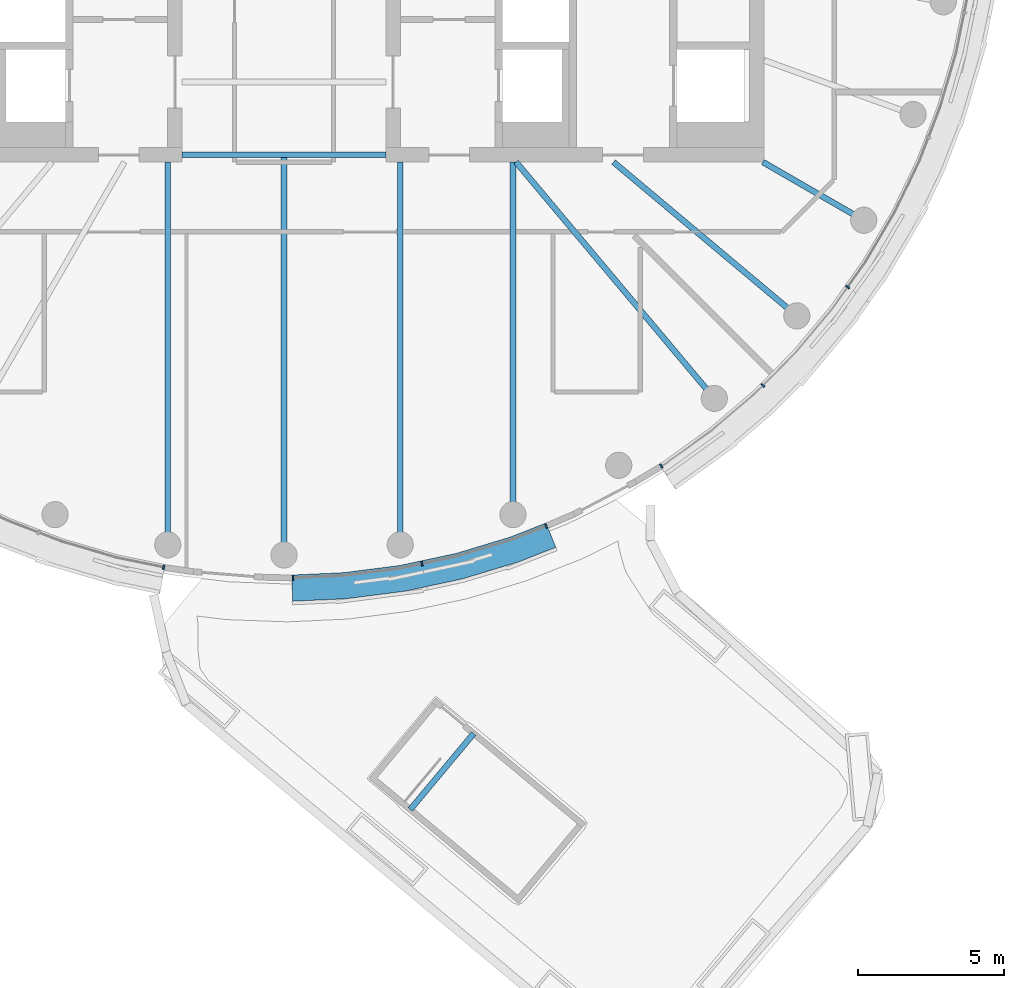
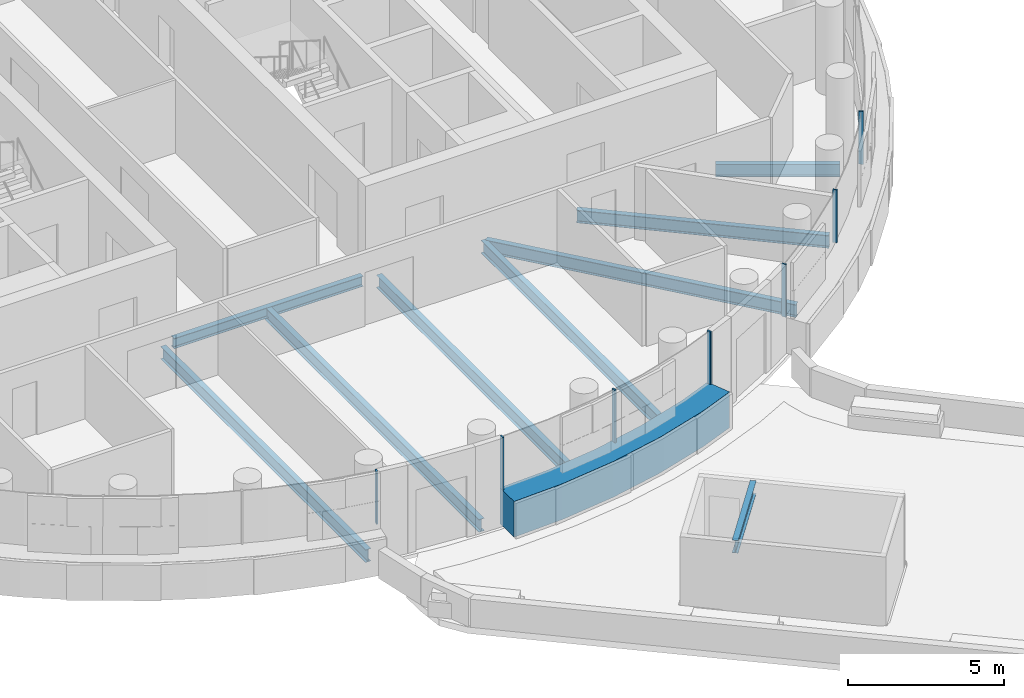
# One storey, part 4 of 25: 9 beams, 8 members, 1 element without a shape of its own.
"""IFC4 building model written with IfcOpenShell, lengths in metres."""

from ifc_helpers import new_model, si_unit, direction, frame, origin, origin_2d, place, context, subcontext, project, spatial, polyline, rectangle, i_section, outline, extrude, material, layer, layer_set, material_profile, profile_set, type_object, element, aggregate, save


model = new_model("IFC4")

# Units and contexts
model_context = context("Model", 3, precision=1e-05, world=origin(), true_north=direction((0.0, 1.0)))
body_context = subcontext(model_context, "Body", "Model", "MODEL_VIEW")
ifc_project = project(units=[si_unit("LENGTHUNIT", "METRE"), si_unit("AREAUNIT", "SQUARE_METRE"), si_unit("VOLUMEUNIT", "CUBIC_METRE"), si_unit("PLANEANGLEUNIT", "RADIAN"), si_unit("MASSUNIT", "GRAM", prefix="KILO")], contexts=[model_context])

# Site, building, storey
site_placement = place(None, origin())
site = spatial("IfcSite", under=ifc_project, at=site_placement, CompositionType="ELEMENT")
building_placement = place(site_placement, origin())
building = spatial("IfcBuilding", under=site, at=building_placement, Name="Tamarind Cross Interchange Tower", CompositionType="ELEMENT")
storey_placement = place(building_placement, frame((0.0, 0.0, 219.89990234375)))
storey = spatial("IfcBuildingStorey", under=building, at=storey_placement, Name="L55", CompositionType="ELEMENT", Elevation=219.89990234375)

# Beams
ifc_material_1 = material(Name="Steel Q355B", Category="steel")
ifc_material_profile_1 = material_profile(ifc_material_1, i_section(OverallWidth=0.199951171875, OverallDepth=0.39990234375, WebThickness=0.008056640625, FlangeThickness=0.012939453125, FilletRadius=0.01611328125, at=origin_2d()), Name="HN 400x200x8x13")
ifc_profile_set_1 = profile_set([ifc_material_profile_1], Name="Steel Q355B")
beam_type_1 = type_object("IfcBeamType", Name="Composite beam HN 400x200x8x13 Q355B", PredefinedType="BEAM", material=ifc_profile_set_1)
beam_1_placement = place(storey_placement, frame((-3.5, -9.25, -0.33984375), z_axis=(1.0, 0.0, 0.0), x_axis=(0.0, 1.0, 0.0)))
element("IfcBeam", 1, at=beam_1_placement, inside=storey, type_object=beam_type_1, Name="Beam G-9.25", PredefinedType="BEAM", context=body_context, shape_type="SweptSolid", body=[
    extrude(i_section(OverallWidth=0.199951171875, OverallDepth=0.39990234375, WebThickness=0.008056640625, FlangeThickness=0.012939453125, FilletRadius=0.01611328125, at=origin_2d()), origin(), (0.0, 0.0, 1.0), 7.0),
])
ifc_material_profile_2 = material_profile(ifc_material_1, i_section(OverallWidth=0.198974609375, OverallDepth=0.49609375, WebThickness=0.009033203125, FlangeThickness=0.013916015625, FilletRadius=0.012939453125, at=origin_2d()), Name="HN 496x199x9x14")
ifc_profile_set_2 = profile_set([ifc_material_profile_2], Name="Steel Q355B")
beam_type_2 = type_object("IfcBeamType", Name="Composite beam HN 496x199x9x14 Q355B", PredefinedType="BEAM", material=ifc_profile_set_2)
beam_2_placement = place(storey_placement, frame((-3.993896484375, -22.650634765625, -0.387939453125), z_axis=(0.0, 1.0, 0.0), x_axis=(-1.0, 0.0, 0.0)))
element("IfcBeam", 2, at=beam_2_placement, inside=storey, type_object=beam_type_2, Name="Beam HH26", PredefinedType="BEAM", context=body_context, shape_type="SweptSolid", body=[
    extrude(i_section(OverallWidth=0.198974609375, OverallDepth=0.49609375, WebThickness=0.009033203125, FlangeThickness=0.013916015625, FilletRadius=0.012939453125, at=origin_2d()), origin(), (0.0, 0.0, 1.0), 13.150634765625),
])
beam_3_placement = place(storey_placement, frame((0.0, -23.0, -0.387939453125), z_axis=(0.0, 1.0, 0.0), x_axis=(-1.0, 0.0, 0.0)))
element("IfcBeam", 3, at=beam_3_placement, inside=storey, type_object=beam_type_2, Name="Beam HH27", PredefinedType="BEAM", context=body_context, shape_type="SweptSolid", body=[
    extrude(i_section(OverallWidth=0.198974609375, OverallDepth=0.49609375, WebThickness=0.009033203125, FlangeThickness=0.013916015625, FilletRadius=0.012939453125, at=origin_2d()), origin(), (0.0, 0.0, 1.0), 13.75),
])
beam_4_placement = place(storey_placement, frame((3.993896484375, -22.650634765625, -0.387939453125), z_axis=(0.0, 1.0, 0.0), x_axis=(-1.0, 0.0, 0.0)))
element("IfcBeam", 4, at=beam_4_placement, inside=storey, type_object=beam_type_2, Name="Beam HH28", PredefinedType="BEAM", context=body_context, shape_type="SweptSolid", body=[
    extrude(i_section(OverallWidth=0.198974609375, OverallDepth=0.49609375, WebThickness=0.009033203125, FlangeThickness=0.013916015625, FilletRadius=0.012939453125, at=origin_2d()), origin(), (0.0, 0.0, 1.0), 13.150634765625),
])
beam_5_placement = place(storey_placement, frame((7.866455078125, -21.613037109375, -0.387939453125), z_axis=(0.0, 1.0, 0.0), x_axis=(-1.0, 0.0, 0.0)))
element("IfcBeam", 5, at=beam_5_placement, inside=storey, type_object=beam_type_2, Name="Beam HH29", PredefinedType="BEAM", context=body_context, shape_type="SweptSolid", body=[
    extrude(i_section(OverallWidth=0.198974609375, OverallDepth=0.49609375, WebThickness=0.009033203125, FlangeThickness=0.013916015625, FilletRadius=0.012939453125, at=origin_2d()), origin(), (0.0, 0.0, 1.0), 12.113037109375),
])
beam_6_placement = place(storey_placement, frame((14.7841796875, -17.619140625, -0.387939453125), z_axis=(-0.642786293979, 0.766045547127, 0.0), x_axis=(-0.766045547127, -0.642786293979, 0.0)))
element("IfcBeam", 6, at=beam_6_placement, inside=storey, type_object=beam_type_2, Name="Beam HH31", PredefinedType="BEAM", context=body_context, shape_type="SweptSolid", body=[
    extrude(i_section(OverallWidth=0.198974609375, OverallDepth=0.49609375, WebThickness=0.009033203125, FlangeThickness=0.013916015625, FilletRadius=0.012939453125, at=origin_2d()), origin(), (0.0, 0.0, 1.0), 10.598876953125),
])
beam_7_placement = place(storey_placement, frame((17.619140625, -14.7841796875, -0.387939453125), z_axis=(-0.766040580814, 0.642792212574, 0.0), x_axis=(-0.642792212574, -0.766040580814, 0.0)))
element("IfcBeam", 7, at=beam_7_placement, inside=storey, type_object=beam_type_2, Name="Beam HH32", PredefinedType="BEAM", context=body_context, shape_type="SweptSolid", body=[
    extrude(i_section(OverallWidth=0.198974609375, OverallDepth=0.49609375, WebThickness=0.009033203125, FlangeThickness=0.013916015625, FilletRadius=0.012939453125, at=origin_2d()), origin(), (0.0, 0.0, 1.0), 8.220703125),
])
beam_8_placement = place(storey_placement, frame((19.918701171875, -11.5, -0.387939453125), z_axis=(-0.866026010844, 0.49999894854, 0.0), x_axis=(-0.49999894854, -0.866026010844, 0.0)))
element("IfcBeam", 8, at=beam_8_placement, inside=storey, type_object=beam_type_2, Name="Beam HH33", PredefinedType="BEAM", context=body_context, shape_type="SweptSolid", body=[
    extrude(i_section(OverallWidth=0.198974609375, OverallDepth=0.49609375, WebThickness=0.009033203125, FlangeThickness=0.013916015625, FilletRadius=0.012939453125, at=origin_2d()), origin(), (0.0, 0.0, 1.0), 4.0),
])
beam_9_placement = place(storey_placement, frame((6.51806640625, -29.133544921875, 2.552001953125), z_axis=(-0.640812797877, -0.767697178631, 0.0), x_axis=(0.767697178631, -0.640812797877, 0.0)))
element("IfcBeam", 9, at=beam_9_placement, inside=storey, type_object=beam_type_2, Name="Beam head house ST6", PredefinedType="BEAM", context=body_context, shape_type="SweptSolid", body=[
    extrude(i_section(OverallWidth=0.198974609375, OverallDepth=0.49609375, WebThickness=0.009033203125, FlangeThickness=0.013916015625, FilletRadius=0.012939453125, at=origin_2d()), origin(), (0.0, 0.0, 1.0), 3.39990234375),
])

# Curtain wall, members
ifc_material_2 = material(Name="Aluminium 6063-T6", Category="aluminium")
ifc_layer = layer(ifc_material_2, 0.14990234375)
ifc_layer_set = layer_set([ifc_layer], Name="Aluminium 6063-T6")
curtain_wall_type = type_object("IfcCurtainWallType", Name="Winter garden and crown curtain wall", PredefinedType="NOTDEFINED", material=ifc_layer_set)
curtain_wall_placement = place(storey_placement, origin())
curtain_wall = element("IfcCurtainWall", 10, at=curtain_wall_placement, inside=storey, type_object=curtain_wall_type, Name="CWS-L55-02", PredefinedType="NOTDEFINED")
ifc_material_3 = material(Name="Aluminium and insulated spandrel panel", Category="aluminium")
member_type_1 = type_object("IfcMemberType", Name="Floor-edge blade transom", PredefinedType="USERDEFINED", material=ifc_material_3)
member_1_placement = place(storey_placement, origin())
member_1 = element("IfcMember", 11, at=member_1_placement, type_object=member_type_1, Name="CWT-L55-02-1", ObjectType="TRANSOM", PredefinedType="USERDEFINED", context=body_context, shape_type="SweptSolid", body=[
    extrude(outline(polyline([(0.277587890625, -23.6875), (2.058349609375, -23.606201171875), (4.000732421875, -23.35546875), (5.915771484375, -22.9453125), (7.790283203125, -22.37841796875), (8.99755859375, -21.9013671875), (9.339599609375, -22.73388671875), (8.08642578125, -23.229248046875), (6.140625, -23.817626953125), (4.15283203125, -24.243408203125), (2.13671875, -24.50341796875), (0.2880859375, -24.587890625), (0.277587890625, -23.6875)])), origin(), (0.0, 0.0, 1.0), 1.400146484375),
])
ifc_material_profile_3 = material_profile(ifc_material_2, rectangle(XDim=0.06005859375, YDim=0.14990234375, at=origin_2d()), Name="Mullion CW6")
ifc_profile_set_3 = profile_set([ifc_material_profile_3], Name="Aluminium 6063-T6")
member_type_2 = type_object("IfcMemberType", Name="Mullion CW6", PredefinedType="MULLION", material=ifc_profile_set_3)
member_2_placement = place(storey_placement, frame((-4.1357421875, -23.422119140625, 1.400146484375), z_axis=(0.0, 0.0, 1.0), x_axis=(0.9795909409, -0.201001463943, 0.0)))
member_2 = element("IfcMember", 12, at=member_2_placement, type_object=member_type_2, Name="CWM-L55-02-05", PredefinedType="MULLION", context=body_context, shape_type="SweptSolid", body=[
    extrude(rectangle(XDim=0.06005859375, YDim=0.14990234375, at=origin_2d()), origin(), (0.0, 0.0, 1.0), 2.06005859375),
])
member_3_placement = place(storey_placement, frame((0.308349609375, -23.7861328125, 1.400146484375), z_axis=(0.0, 0.0, 1.0), x_axis=(0.998958660912, 0.045624486728, 0.0)))
member_3 = element("IfcMember", 13, at=member_3_placement, type_object=member_type_2, Name="CWM-L55-02-06", PredefinedType="MULLION", context=body_context, shape_type="SweptSolid", body=[
    extrude(rectangle(XDim=0.06005859375, YDim=0.14990234375, at=origin_2d()), origin(), (0.0, 0.0, 1.0), 2.06005859375),
])
member_4_placement = place(storey_placement, frame((4.7412109375, -23.29931640625, 1.400146484375), z_axis=(0.0, 0.0, 1.0), x_axis=(0.977824623121, 0.209425419705, 0.0)))
member_4 = element("IfcMember", 14, at=member_4_placement, type_object=member_type_2, Name="CWM-L55-02-07", PredefinedType="MULLION", context=body_context, shape_type="SweptSolid", body=[
    extrude(rectangle(XDim=0.06005859375, YDim=0.14990234375, at=origin_2d()), origin(), (0.0, 0.0, 1.0), 2.06005859375),
])
member_5_placement = place(storey_placement, frame((9.0078125, -22.0048828125, 1.400146484375), z_axis=(0.0, 0.0, 1.0), x_axis=(0.930018078613, 0.367513773146, 0.0)))
member_5 = element("IfcMember", 15, at=member_5_placement, type_object=member_type_2, Name="CWM-L55-02-08", PredefinedType="MULLION", context=body_context, shape_type="SweptSolid", body=[
    extrude(rectangle(XDim=0.06005859375, YDim=0.14990234375, at=origin_2d()), origin(), (0.0, 0.0, 1.0), 2.06005859375),
])
member_6_placement = place(storey_placement, frame((12.964111328125, -19.947021484375, 1.400146484375), z_axis=(0.0, 0.0, 1.0), x_axis=(0.856843065292, 0.515577308909, 0.0)))
member_6 = element("IfcMember", 16, at=member_6_placement, type_object=member_type_2, Name="CWM-L55-02-09", PredefinedType="MULLION", context=body_context, shape_type="SweptSolid", body=[
    extrude(rectangle(XDim=0.06005859375, YDim=0.14990234375, at=origin_2d()), origin(), (0.0, 0.0, 1.0), 2.06005859375),
])
member_7_placement = place(storey_placement, frame((16.454833984375, -17.172119140625, 1.400146484375), z_axis=(0.0, 0.0, 1.0), x_axis=(0.704057148523, 0.710143317658, 0.0)))
member_7 = element("IfcMember", 17, at=member_7_placement, type_object=member_type_2, Name="CWM-L55-02-10", PredefinedType="MULLION", context=body_context, shape_type="SweptSolid", body=[
    extrude(rectangle(XDim=0.06005859375, YDim=0.14990234375, at=origin_2d()), origin(), (0.0, 0.0, 1.0), 2.06005859375),
])
member_8_placement = place(storey_placement, frame((19.365234375, -13.7939453125, 1.400146484375), z_axis=(0.0, 0.0, 1.0), x_axis=(0.577568978284, 0.816341886298, 0.0)))
member_8 = element("IfcMember", 18, at=member_8_placement, type_object=member_type_2, Name="CWM-L55-02-11", PredefinedType="MULLION", context=body_context, shape_type="SweptSolid", body=[
    extrude(rectangle(XDim=0.06005859375, YDim=0.14990234375, at=origin_2d()), origin(), (0.0, 0.0, 1.0), 2.06005859375),
])
aggregate(curtain_wall, [member_2, member_3, member_4, member_5, member_6, member_7, member_8, member_1])

save(model, "model.ifc")
